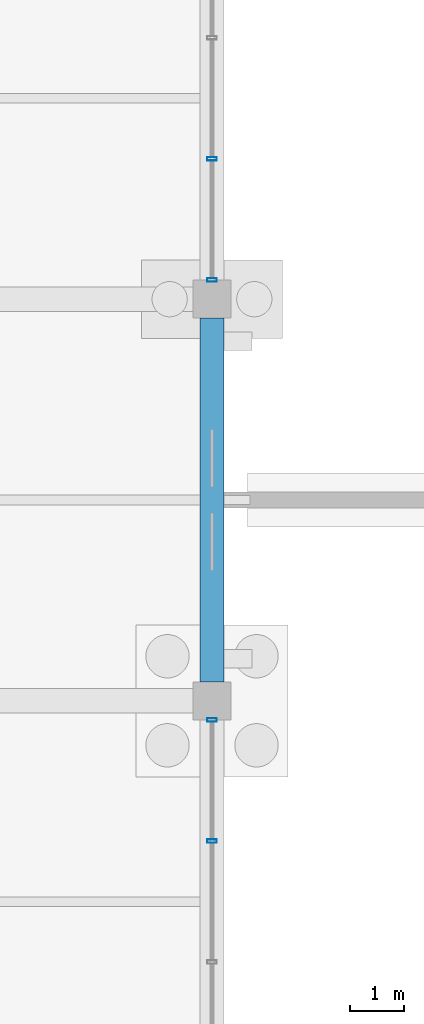
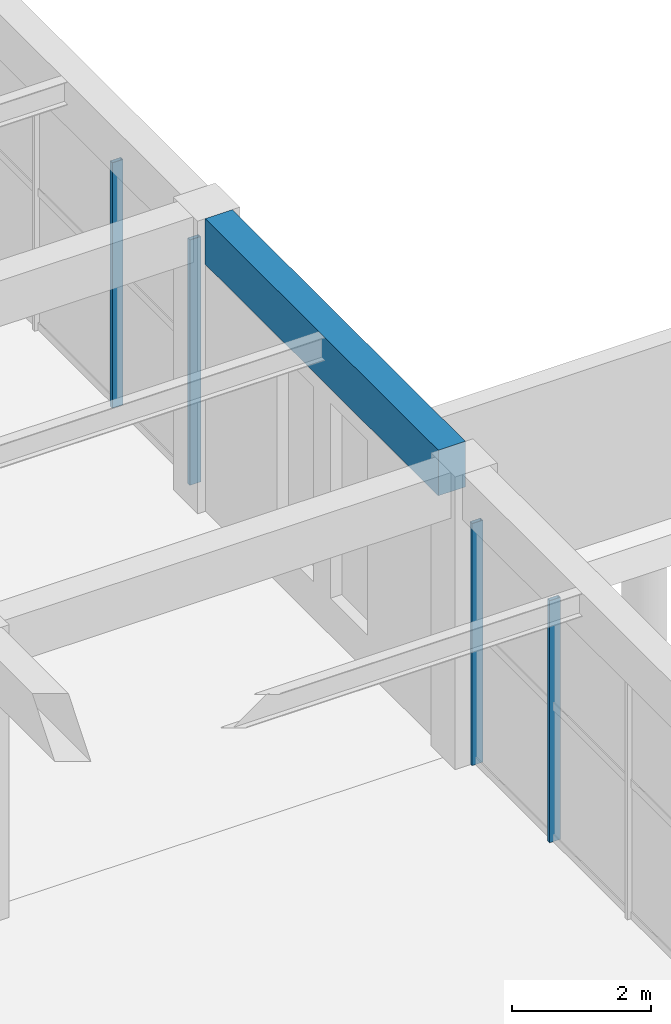
# One storey, part 103 of 140: 4 members, 1 beam, 2 elements without a shape of their own.
"""IFC4 building model written with IfcOpenShell, lengths in metres."""

from ifc_helpers import new_model, si_unit, direction, frame, origin, origin_2d, place, context, subcontext, project, spatial, rectangle, hollow_rectangle, extrude, material, material_profile, profile_set, type_object, element, aggregate, save


model = new_model("IFC4")

# Units and contexts
model_context = context("Model", 3, precision=1e-05, world=origin(), true_north=direction((0.0, 1.0)))
body_context = subcontext(model_context, "Body", "Model", "MODEL_VIEW")
ifc_project = project(units=[si_unit("LENGTHUNIT", "METRE"), si_unit("AREAUNIT", "SQUARE_METRE"), si_unit("VOLUMEUNIT", "CUBIC_METRE"), si_unit("PLANEANGLEUNIT", "RADIAN"), si_unit("MASSUNIT", "GRAM", prefix="KILO")], contexts=[model_context])

# Site, building, storey
site_placement = place(None, origin())
site = spatial("IfcSite", under=ifc_project, at=site_placement, CompositionType="ELEMENT")
building_placement = place(site_placement, origin())
building = spatial("IfcBuilding", under=site, at=building_placement, Name="Cimatlan Art Gallery", CompositionType="ELEMENT")
storey_placement = place(building_placement, origin())
storey = spatial("IfcBuildingStorey", under=building, at=storey_placement, Name="L00", CompositionType="ELEMENT", Elevation=0.0)

# Beam
ifc_material_1 = material(Name="Concrete C40/50", Category="concrete")
ifc_material_profile_1 = material_profile(ifc_material_1, rectangle(XDim=0.449951171875, YDim=0.800048828125, at=origin_2d()), Name="RC450X800")
ifc_profile_set_1 = profile_set([ifc_material_profile_1], Name="Concrete C40/50")
beam_type = type_object("IfcBeamType", Name="BM-RC-450X800", PredefinedType="BEAM", material=ifc_profile_set_1)
beam_placement = place(storey_placement, frame((131.60009765625, 68.64990234375, 4.735107421875), z_axis=(0.0, 1.0, 0.0), x_axis=(-1.0, 0.0, 0.0)))
element("IfcBeam", 1, at=beam_placement, inside=storey, type_object=beam_type, Name="BM-Y-L00-16-09", PredefinedType="BEAM", context=body_context, shape_type="SweptSolid", body=[
    extrude(rectangle(XDim=0.449951171875, YDim=0.800048828125, at=origin_2d()), origin(), (0.0, 0.0, 1.0), 6.7001953125),
])

# Curtain wall, members
ifc_material_2 = material(Name="Anodised bronze unitised curtain wall")
curtain_wall_type_1 = type_object("IfcCurtainWallType", Name="CW-V-06692X04245-B3", PredefinedType="NOTDEFINED", material=ifc_material_2)
curtain_wall_1_placement = place(storey_placement, origin())
curtain_wall_1 = element("IfcCurtainWall", 2, at=curtain_wall_1_placement, inside=storey, type_object=curtain_wall_type_1, Name="CW-L00-15-08-E", PredefinedType="NOTDEFINED")
ifc_material_3 = material(Name="Anodised bronze aluminium 6063-T6", Category="aluminium")
ifc_material_profile_2 = material_profile(ifc_material_3, hollow_rectangle(XDim=0.06494140625, YDim=0.179931640625, WallThickness=0.00390625, at=origin_2d()), Name="ALU65X180X4")
ifc_profile_set_2 = profile_set([ifc_material_profile_2], Name="Anodised bronze aluminium 6063-T6")
member_type = type_object("IfcMemberType", Name="CW-MUL-180", PredefinedType="MULLION", material=ifc_profile_set_2)
member_1_placement = place(storey_placement, frame((131.60009765625, 67.946044921875, 0.0), z_axis=(0.0, 0.0, 1.0), x_axis=(0.0, 1.0, 0.0)))
member_1 = element("IfcMember", 3, at=member_1_placement, type_object=member_type, Name="CW-L00-15-08-E-M1", PredefinedType="MULLION", context=body_context, shape_type="SweptSolid", body=[
    extrude(hollow_rectangle(XDim=0.06494140625, YDim=0.179931640625, WallThickness=0.00390625, at=origin_2d()), origin(), (0.0, 0.0, 1.0), 4.2451171875),
])
member_2_placement = place(storey_placement, frame((131.60009765625, 65.71533203125, 0.0), z_axis=(0.0, 0.0, 1.0), x_axis=(0.0, 1.0, 0.0)))
member_2 = element("IfcMember", 4, at=member_2_placement, type_object=member_type, Name="CW-L00-15-08-E-M2", PredefinedType="MULLION", context=body_context, shape_type="SweptSolid", body=[
    extrude(hollow_rectangle(XDim=0.06494140625, YDim=0.179931640625, WallThickness=0.00390625, at=origin_2d()), origin(), (0.0, 0.0, 1.0), 4.2451171875),
])
aggregate(curtain_wall_1, [member_1, member_2])

curtain_wall_type_2 = type_object("IfcCurtainWallType", Name="CW-V-06692X04305-B3", PredefinedType="NOTDEFINED", material=ifc_material_2)
curtain_wall_2_placement = place(storey_placement, origin())
curtain_wall_2 = element("IfcCurtainWall", 5, at=curtain_wall_2_placement, inside=storey, type_object=curtain_wall_type_2, Name="CW-L00-15-10-E", PredefinedType="NOTDEFINED")
member_3_placement = place(storey_placement, frame((131.60009765625, 78.28466796875, 0.0), z_axis=(0.0, 0.0, 1.0), x_axis=(0.0, 1.0, 0.0)))
member_3 = element("IfcMember", 6, at=member_3_placement, type_object=member_type, Name="CW-L00-15-10-E-M3", PredefinedType="MULLION", context=body_context, shape_type="SweptSolid", body=[
    extrude(hollow_rectangle(XDim=0.06494140625, YDim=0.179931640625, WallThickness=0.00390625, at=origin_2d()), origin(), (0.0, 0.0, 1.0), 4.304931640625),
])
member_4_placement = place(storey_placement, frame((131.60009765625, 76.053955078125, 0.0), z_axis=(0.0, 0.0, 1.0), x_axis=(0.0, 1.0, 0.0)))
member_4 = element("IfcMember", 7, at=member_4_placement, type_object=member_type, Name="CW-L00-15-10-E-M4", PredefinedType="MULLION", context=body_context, shape_type="SweptSolid", body=[
    extrude(hollow_rectangle(XDim=0.06494140625, YDim=0.179931640625, WallThickness=0.00390625, at=origin_2d()), origin(), (0.0, 0.0, 1.0), 4.304931640625),
])
aggregate(curtain_wall_2, [member_3, member_4])

save(model, "model.ifc")
